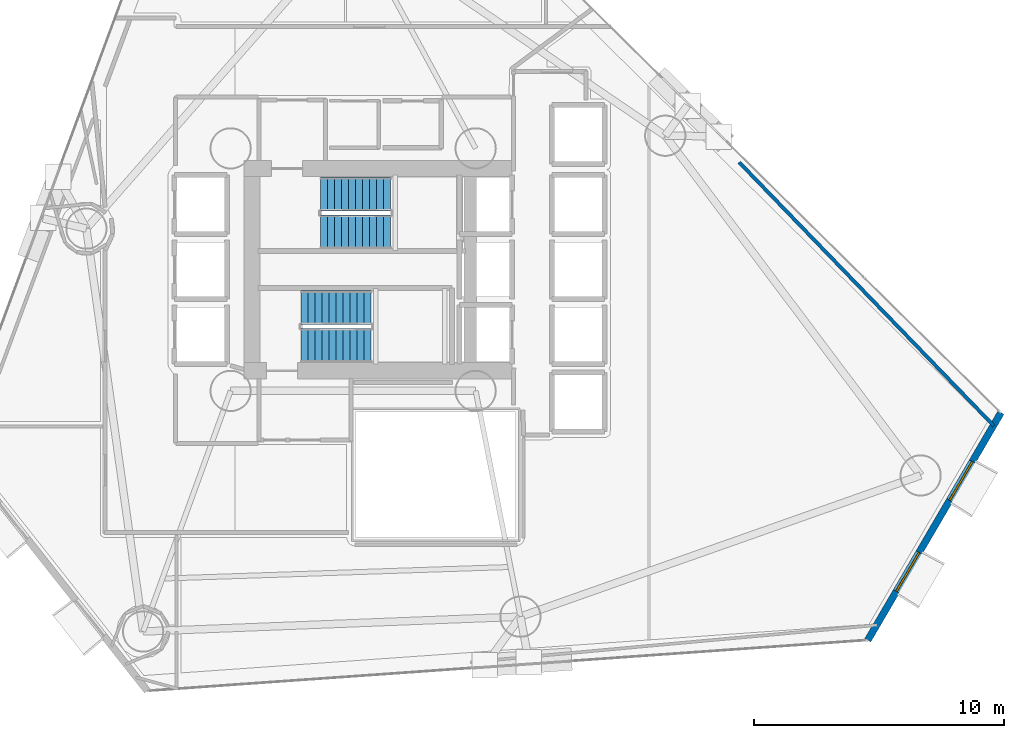
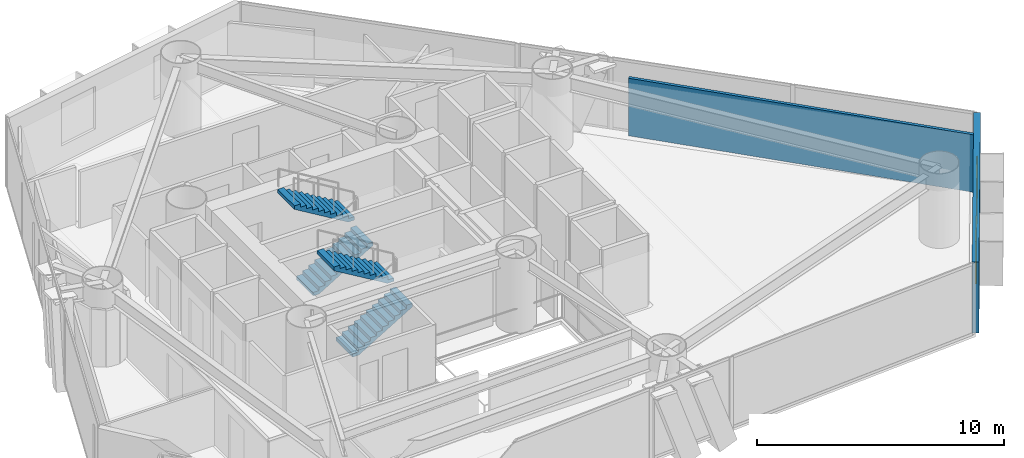
# One storey, part 20 of 24: 4 stair flights, 2 walls, 2 windows, 2 openings, 2 elements without a shape of their own.
"""IFC4 building model written with IfcOpenShell, lengths in metres."""

from ifc_helpers import new_model, si_unit, direction, frame, frame_2d, origin, place, context, subcontext, project, spatial, polyline, rectangle, outline, extrude, material, layer, layer_set, type_object, element, fill, aggregate, save


model = new_model("IFC4")

# Units and contexts
model_context = context("Model", 3, precision=1e-05, world=origin(), true_north=direction((0.0, 1.0)))
body_context = subcontext(model_context, "Body", "Model", "MODEL_VIEW")
ifc_project = project(units=[si_unit("LENGTHUNIT", "METRE"), si_unit("AREAUNIT", "SQUARE_METRE"), si_unit("VOLUMEUNIT", "CUBIC_METRE"), si_unit("PLANEANGLEUNIT", "RADIAN"), si_unit("MASSUNIT", "GRAM", prefix="KILO")], contexts=[model_context])

# Site, building, storey
site_placement = place(None, origin())
site = spatial("IfcSite", under=ifc_project, at=site_placement, CompositionType="ELEMENT")
building_placement = place(site_placement, origin())
building = spatial("IfcBuilding", under=site, at=building_placement, Name="Qianvela Tower", CompositionType="ELEMENT")
storey_placement = place(building_placement, frame((0.0, 0.0, 59.89990234375)))
storey = spatial("IfcBuildingStorey", under=building, at=storey_placement, Name="L14", CompositionType="ELEMENT", Elevation=59.89990234375)

# Wall, openings, windows
ifc_material_1 = material(Name="Terracotta Cladding on Concrete C40", Category="masonry")
ifc_layer_1 = layer(ifc_material_1, 0.280029296875)
ifc_layer_set_1 = layer_set([ifc_layer_1], Name="Terracotta Cladding on Concrete C40")
wall_type_1 = type_object("IfcWallType", Name="TERRACOTTA-WALL-280", PredefinedType="SOLIDWALL", material=ifc_layer_set_1)
wall_1_placement = place(storey_placement, frame((54.087890625, 13.8798828125, 0.0), z_axis=(0.0, 0.0, 1.0), x_axis=(0.505188036597, 0.863009297562, 0.0)))
wall_1 = element("IfcWall", 1, at=wall_1_placement, inside=storey, type_object=wall_type_1, Name="L14 Terracotta Chamfer Facet Wall 1", PredefinedType="SOLIDWALL", context=body_context, shape_type="SweptSolid", body=[
    extrude(rectangle(XDim=10.54150390625, YDim=0.280029296875, at=frame_2d((5.270751953125, 0.0))), origin(), (0.0, 0.0, 1.0), 3.52001953125),
])
opening_1_placement = place(wall_1_placement, frame((2.262451171875, 0.0, 0.85009765625)))
opening_1 = element("IfcOpeningElement", 2, at=opening_1_placement, cuts=wall_1, Name="Opening W-01", PredefinedType="OPENING", context=body_context, shape_type="SweptSolid", body=[
    extrude(rectangle(XDim=1.800048828125, YDim=2.10009765625, at=frame_2d((0.89990234375, 1.050048828125))), frame((0.0, 0.14990234375, 0.0), z_axis=(0.0, -1.0, 0.0), x_axis=(1.0, 0.0, 0.0)), (0.0, 0.0, 1.0), 0.300048828125),
])
opening_2_placement = place(wall_1_placement, frame((6.47900390625, 0.0, 0.85009765625)))
opening_2 = element("IfcOpeningElement", 3, at=opening_2_placement, cuts=wall_1, Name="Opening W-01", PredefinedType="OPENING", context=body_context, shape_type="SweptSolid", body=[
    extrude(rectangle(XDim=1.800048828125, YDim=2.10009765625, at=frame_2d((0.89990234375, 1.050048828125))), frame((0.0, 0.14990234375, 0.0), z_axis=(0.0, -1.0, 0.0), x_axis=(1.0, 0.0, 0.0)), (0.0, 0.0, 1.0), 0.300048828125),
])
ifc_material_2 = material(Name="Thermally Broken Aluminium and Low-E Glass", Category="aluminium")
window_type = type_object("IfcWindowType", Name="WIN-TC-1800x2100", PartitioningType="DOUBLE_PANEL_VERTICAL", PredefinedType="WINDOW", material=ifc_material_2)
window_1_placement = place(opening_1_placement, origin())
window_1 = element("IfcWindow", 4, at=window_1_placement, inside=storey, type_object=window_type, Name="L14 Chamfer Facet Window 1.1", OverallHeight=2.10009765625, OverallWidth=1.800048828125, PartitioningType="SINGLE_PANEL", PredefinedType="WINDOW", context=body_context, shape_type="SweptSolid", body=[
    extrude(rectangle(XDim=1.800048828125, YDim=2.10009765625, at=frame_2d((0.89990234375, 1.050048828125))), frame((0.0, 0.030029296875, 0.0), z_axis=(0.0, -1.0, 0.0), x_axis=(1.0, 0.0, 0.0)), (0.0, 0.0, 1.0), 0.06005859375),
])
fill(opening_1, window_1)
window_2_placement = place(opening_2_placement, origin())
window_2 = element("IfcWindow", 5, at=window_2_placement, inside=storey, type_object=window_type, Name="L14 Chamfer Facet Window 1.2", OverallHeight=2.10009765625, OverallWidth=1.800048828125, PartitioningType="SINGLE_PANEL", PredefinedType="WINDOW", context=body_context, shape_type="SweptSolid", body=[
    extrude(rectangle(XDim=1.800048828125, YDim=2.10009765625, at=frame_2d((0.89990234375, 1.050048828125))), frame((0.0, 0.030029296875, 0.0), z_axis=(0.0, -1.0, 0.0), x_axis=(1.0, 0.0, 0.0)), (0.0, 0.0, 1.0), 0.06005859375),
])
fill(opening_2, window_2)

# Wall
ifc_material_3 = material(Name="Acoustic Double Gypsum Stud Partition")
ifc_layer_2 = layer(ifc_material_3, 0.139892578125)
ifc_layer_set_2 = layer_set([ifc_layer_2], Name="Acoustic Double Gypsum Stud Partition")
wall_type_2 = type_object("IfcWallType", Name="WT-ROOM-140", PredefinedType="PARTITIONING", material=ifc_layer_set_2)
wall_2_placement = place(storey_placement, frame((48.94189453125, 32.992431640625, 0.0), z_axis=(0.0, 0.0, 1.0), x_axis=(0.694827205719, -0.719176719724, 0.0)))
element("IfcWall", 6, at=wall_2_placement, inside=storey, type_object=wall_type_2, Name="L14 Partition 87 seg 2", PredefinedType="PARTITIONING", context=body_context, shape_type="SweptSolid", body=[
    extrude(rectangle(XDim=14.65869140625, YDim=0.139892578125, at=frame_2d((7.329345703125, 0.0))), origin(), (0.0, 0.0, 1.0), 2.840087890625),
])

# Stair, stair flights
ifc_material_4 = material(Name="Concrete C40", Category="concrete")
stair_type = type_object("IfcStairType", Name="ST-DOGLEG-1350-R168-N22", PredefinedType="HALF_TURN_STAIR", material=ifc_material_4)
stair_1_placement = place(storey_placement, origin())
stair_1 = element("IfcStair", 7, at=stair_1_placement, inside=storey, type_object=stair_type, Name="L14 Smoke-Proof Core Stair ST-1", PredefinedType="HALF_TURN_STAIR")
ifc_material_5 = material(Name="Concrete C40", Category="concrete")
stair_flight_type = type_object("IfcStairFlightType", Name="STF-STRAIGHT-R168-P11", PredefinedType="STRAIGHT", material=ifc_material_5)
stair_flight_1_placement = place(storey_placement, frame((32.199951171875, 30.215087890625, 0.0), z_axis=(0.0, 0.0, 1.0), x_axis=(1.0, 0.0, 0.0)))
stair_flight_1 = element("IfcStairFlight", 8, at=stair_flight_1_placement, type_object=stair_flight_type, Name="ST-1 flight 1", NumberOfRisers=11, NumberOfTreads=10, PredefinedType="STRAIGHT", RiserHeight=0.168181818, TreadLength=0.28, context=body_context, shape_type="SweptSolid", body=[
    extrude(outline(polyline([(0.0, 0.0), (0.0, 0.168212890625), (0.280029296875, 0.168212890625), (0.280029296875, 0.33642578125), (0.56005859375, 0.33642578125), (0.56005859375, 0.504638671875), (0.840087890625, 0.504638671875), (0.840087890625, 0.672607421875), (1.1201171875, 0.672607421875), (1.1201171875, 0.8408203125), (1.39990234375, 0.8408203125), (1.39990234375, 1.009033203125), (1.679931640625, 1.009033203125), (1.679931640625, 1.17724609375), (1.9599609375, 1.17724609375), (1.9599609375, 1.345458984375), (2.239990234375, 1.345458984375), (2.239990234375, 1.513671875), (2.52001953125, 1.513671875), (2.52001953125, 1.681884765625), (2.800048828125, 1.681884765625), (2.800048828125, 1.85009765625), (2.800048828125, 1.5068359375), (0.291015625, 0.0), (0.0, 0.0)])), frame((0.0, 0.675048828125, 0.0), z_axis=(0.0, -1.0, 0.0), x_axis=(1.0, 0.0, 0.0)), (0.0, 0.0, 1.0), 1.35009765625),
])
stair_flight_2_placement = place(storey_placement, frame((35.0, 31.72509765625, 1.85009765625), z_axis=(0.0, 0.0, 1.0), x_axis=(-1.0, 0.0, 0.0)))
stair_flight_2 = element("IfcStairFlight", 9, at=stair_flight_2_placement, type_object=stair_flight_type, Name="ST-1 flight 2", NumberOfRisers=11, NumberOfTreads=10, PredefinedType="STRAIGHT", RiserHeight=0.168181818, TreadLength=0.28, context=body_context, shape_type="SweptSolid", body=[
    extrude(outline(polyline([(0.0, 0.0), (0.0, 0.168212890625), (0.280029296875, 0.168212890625), (0.280029296875, 0.33642578125), (0.56005859375, 0.33642578125), (0.56005859375, 0.504638671875), (0.840087890625, 0.504638671875), (0.840087890625, 0.672607421875), (1.1201171875, 0.672607421875), (1.1201171875, 0.8408203125), (1.39990234375, 0.8408203125), (1.39990234375, 1.009033203125), (1.679931640625, 1.009033203125), (1.679931640625, 1.17724609375), (1.9599609375, 1.17724609375), (1.9599609375, 1.345458984375), (2.239990234375, 1.345458984375), (2.239990234375, 1.513671875), (2.52001953125, 1.513671875), (2.52001953125, 1.681884765625), (2.800048828125, 1.681884765625), (2.800048828125, 1.85009765625), (2.800048828125, 1.5068359375), (0.291015625, 0.0), (0.0, 0.0)])), frame((0.0, 0.675048828125, 0.0), z_axis=(0.0, -1.0, 0.0), x_axis=(1.0, 0.0, 0.0)), (0.0, 0.0, 1.0), 1.35009765625),
])
aggregate(stair_1, [stair_flight_1, stair_flight_2])

stair_2_placement = place(storey_placement, origin())
stair_2 = element("IfcStair", 10, at=stair_2_placement, inside=storey, type_object=stair_type, Name="L14 Smoke-Proof Core Stair ST-2", PredefinedType="HALF_TURN_STAIR")
stair_flight_3_placement = place(storey_placement, frame((31.419921875, 25.675048828125, 0.0), z_axis=(0.0, 0.0, 1.0), x_axis=(1.0, 0.0, 0.0)))
stair_flight_3 = element("IfcStairFlight", 11, at=stair_flight_3_placement, type_object=stair_flight_type, Name="ST-2 flight 1", NumberOfRisers=11, NumberOfTreads=10, PredefinedType="STRAIGHT", RiserHeight=0.168181818, TreadLength=0.28, context=body_context, shape_type="SweptSolid", body=[
    extrude(outline(polyline([(0.0, 0.0), (0.0, 0.168212890625), (0.280029296875, 0.168212890625), (0.280029296875, 0.33642578125), (0.56005859375, 0.33642578125), (0.56005859375, 0.504638671875), (0.840087890625, 0.504638671875), (0.840087890625, 0.672607421875), (1.1201171875, 0.672607421875), (1.1201171875, 0.8408203125), (1.39990234375, 0.8408203125), (1.39990234375, 1.009033203125), (1.679931640625, 1.009033203125), (1.679931640625, 1.17724609375), (1.9599609375, 1.17724609375), (1.9599609375, 1.345458984375), (2.239990234375, 1.345458984375), (2.239990234375, 1.513671875), (2.52001953125, 1.513671875), (2.52001953125, 1.681884765625), (2.800048828125, 1.681884765625), (2.800048828125, 1.85009765625), (2.800048828125, 1.5068359375), (0.291015625, 0.0), (0.0, 0.0)])), frame((0.0, 0.675048828125, 0.0), z_axis=(0.0, -1.0, 0.0), x_axis=(1.0, 0.0, 0.0)), (0.0, 0.0, 1.0), 1.35009765625),
])
stair_flight_4_placement = place(storey_placement, frame((34.219970703125, 27.18505859375, 1.85009765625), z_axis=(0.0, 0.0, 1.0), x_axis=(-1.0, 0.0, 0.0)))
stair_flight_4 = element("IfcStairFlight", 12, at=stair_flight_4_placement, type_object=stair_flight_type, Name="ST-2 flight 2", NumberOfRisers=11, NumberOfTreads=10, PredefinedType="STRAIGHT", RiserHeight=0.168181818, TreadLength=0.28, context=body_context, shape_type="SweptSolid", body=[
    extrude(outline(polyline([(0.0, 0.0), (0.0, 0.168212890625), (0.280029296875, 0.168212890625), (0.280029296875, 0.33642578125), (0.56005859375, 0.33642578125), (0.56005859375, 0.504638671875), (0.840087890625, 0.504638671875), (0.840087890625, 0.672607421875), (1.1201171875, 0.672607421875), (1.1201171875, 0.8408203125), (1.39990234375, 0.8408203125), (1.39990234375, 1.009033203125), (1.679931640625, 1.009033203125), (1.679931640625, 1.17724609375), (1.9599609375, 1.17724609375), (1.9599609375, 1.345458984375), (2.239990234375, 1.345458984375), (2.239990234375, 1.513671875), (2.52001953125, 1.513671875), (2.52001953125, 1.681884765625), (2.800048828125, 1.681884765625), (2.800048828125, 1.85009765625), (2.800048828125, 1.5068359375), (0.291015625, 0.0), (0.0, 0.0)])), frame((0.0, 0.675048828125, 0.0), z_axis=(0.0, -1.0, 0.0), x_axis=(1.0, 0.0, 0.0)), (0.0, 0.0, 1.0), 1.35009765625),
])
aggregate(stair_2, [stair_flight_3, stair_flight_4])

save(model, "model.ifc")
